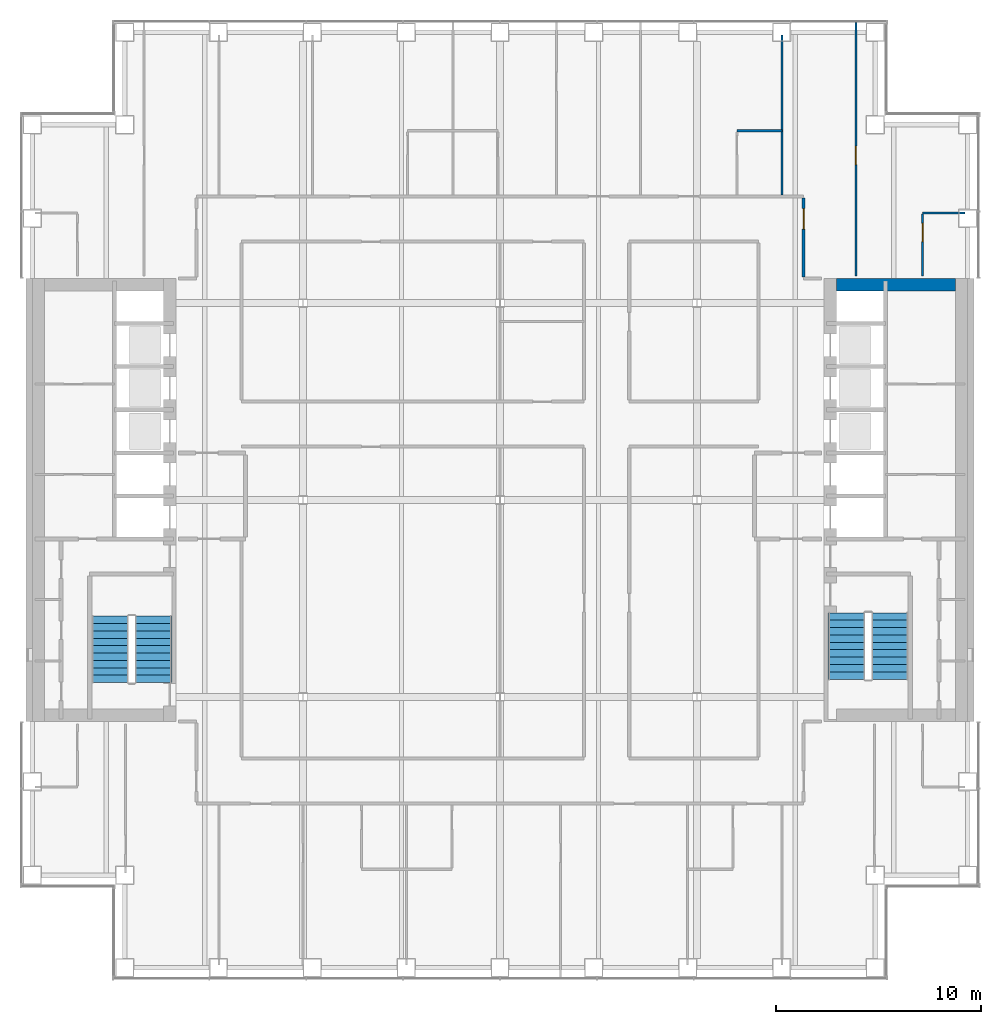
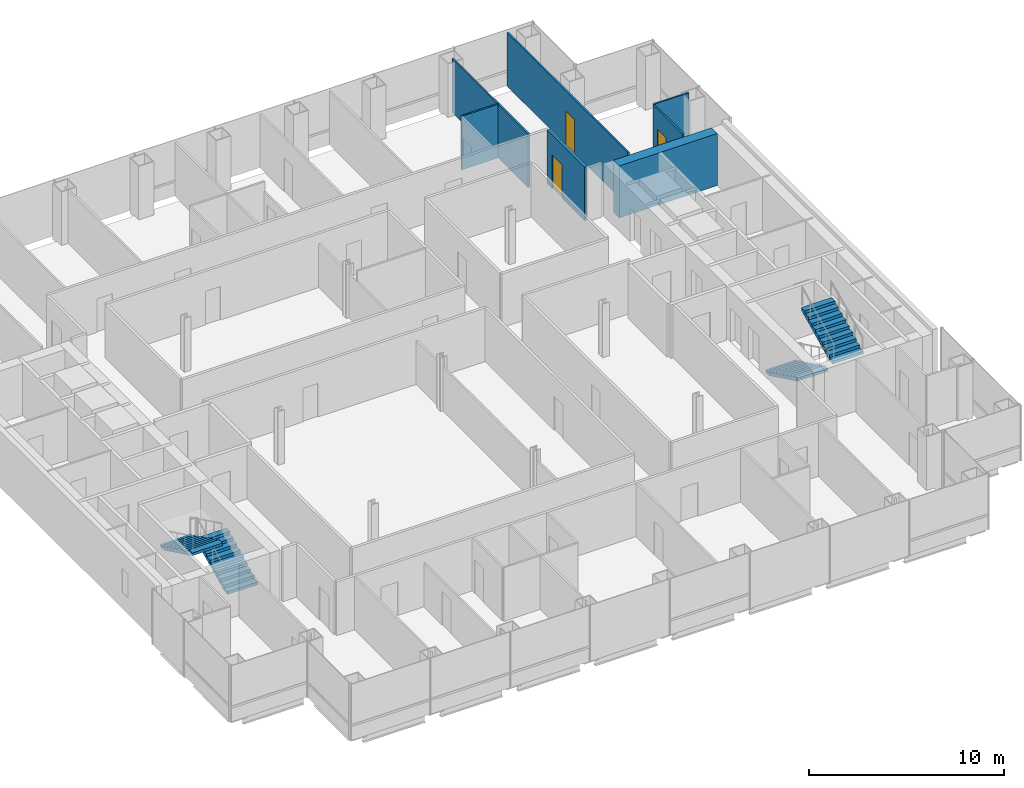
# One storey, part 14 of 16: 7 walls, 4 stair flights, 3 doors, 3 openings, 2 elements without a shape of their own.
"""IFC4 building model written with IfcOpenShell, lengths in metres."""

from ifc_helpers import new_model, si_unit, direction, frame, frame_2d, origin, place, context, subcontext, project, spatial, polyline, rectangle, outline, extrude, material, layer, layer_set, type_object, element, fill, aggregate, save


model = new_model("IFC4")

# Units and contexts
model_context = context("Model", 3, precision=1e-05, world=origin(), true_north=direction((0.0, 1.0)))
body_context = subcontext(model_context, "Body", "Model", "MODEL_VIEW")
ifc_project = project(units=[si_unit("LENGTHUNIT", "METRE"), si_unit("AREAUNIT", "SQUARE_METRE"), si_unit("VOLUMEUNIT", "CUBIC_METRE"), si_unit("PLANEANGLEUNIT", "RADIAN"), si_unit("MASSUNIT", "GRAM", prefix="KILO")], contexts=[model_context])

# Site, building, storey
site_placement = place(None, origin())
site = spatial("IfcSite", under=ifc_project, at=site_placement, CompositionType="ELEMENT")
building_placement = place(site_placement, origin())
building = spatial("IfcBuilding", under=site, at=building_placement, Name="Cobrizo Arcos Hotel Tower", CompositionType="ELEMENT")
storey_placement = place(building_placement, frame((0.0, 0.0, 113.5)))
storey = spatial("IfcBuildingStorey", under=building, at=storey_placement, Name="L28", CompositionType="ELEMENT", Elevation=113.5)

# Wall, opening, door
ifc_material_1 = material(Name="Gypsum board partition")
ifc_layer_1 = layer(ifc_material_1, 0.14990234375)
ifc_layer_set_1 = layer_set([ifc_layer_1], Name="Corridor wall EI 60 150")
wall_type_1 = type_object("IfcWallType", Name="Corridor wall EI 60 150", PredefinedType="PARTITIONING", material=ifc_layer_set_1)
wall_1_placement = place(storey_placement, frame((14.800048828125, 10.875, 0.0), z_axis=(0.0, 0.0, 1.0), x_axis=(0.0, 1.0, 0.0)))
wall_1 = element("IfcWall", 1, at=wall_1_placement, inside=storey, type_object=wall_type_1, Name="Partition 099", PredefinedType="PARTITIONING", context=body_context, shape_type="SweptSolid", body=[
    extrude(rectangle(XDim=3.85009765625, YDim=0.14990234375, at=frame_2d((1.925048828125, 0.0))), origin(), (0.0, 0.0, 1.0), 3.35009765625),
])
opening_1_placement = place(wall_1_placement, frame((2.324951171875, 0.0, 0.0)))
opening_1 = element("IfcOpeningElement", 2, at=opening_1_placement, cuts=wall_1, Name="Opening GD-10", PredefinedType="OPENING", context=body_context, shape_type="SweptSolid", body=[
    extrude(rectangle(XDim=1.0, YDim=2.10009765625, at=frame_2d((0.5, 1.050048828125))), frame((0.0, 0.0869140625, 0.0), z_axis=(0.0, -1.0, 0.0), x_axis=(1.0, 0.0, 0.0)), (0.0, 0.0, 1.0), 0.173828125),
])
ifc_material_2 = material(Name="Timber door leaf", Category="wood")
door_type_1 = type_object("IfcDoorType", Name="Guest room door FD30S 1000x2100", OperationType="SINGLE_SWING_LEFT", PredefinedType="DOOR", material=ifc_material_2)
door_1_placement = place(opening_1_placement, origin())
door_1 = element("IfcDoor", 3, at=door_1_placement, inside=storey, type_object=door_type_1, Name="Door GD-10", OperationType="SINGLE_SWING_RIGHT", OverallHeight=2.10009765625, OverallWidth=1.0, PredefinedType="DOOR", context=body_context, shape_type="SweptSolid", body=[
    extrude(rectangle(XDim=1.0, YDim=2.10009765625, at=frame_2d((0.5, 1.050048828125))), frame((0.0, 0.02490234375, 0.0), z_axis=(0.0, -1.0, 0.0), x_axis=(1.0, 0.0, 0.0)), (0.0, 0.0, 1.0), 0.050048828125),
])
fill(opening_1, door_1)

# Walls
ifc_layer_2 = layer(ifc_material_1, 0.10009765625)
ifc_layer_set_2 = layer_set([ifc_layer_2], Name="Partition EI 30 100")
wall_type_2 = type_object("IfcWallType", Name="Partition EI 30 100", PredefinedType="PARTITIONING", material=ifc_layer_set_2)
wall_2_placement = place(storey_placement, frame((20.60009765625, 14.0, 0.0), z_axis=(0.0, 0.0, 1.0), x_axis=(1.0, 0.0, 0.0)))
element("IfcWall", 4, at=wall_2_placement, inside=storey, type_object=wall_type_2, Name="Partition 046", PredefinedType="PARTITIONING", context=body_context, shape_type="SweptSolid", body=[
    extrude(rectangle(XDim=2.079833984375, YDim=0.10009765625, at=frame_2d((1.0400390625, 0.0))), origin(), (0.0, 0.0, 1.0), 3.35009765625),
])
wall_3_placement = place(storey_placement, frame((11.550048828125, 18.0, 0.0), z_axis=(0.0, 0.0, 1.0), x_axis=(1.0, 0.0, 0.0)))
element("IfcWall", 5, at=wall_3_placement, inside=storey, type_object=wall_type_2, Name="Partition 049", PredefinedType="PARTITIONING", context=body_context, shape_type="SweptSolid", body=[
    extrude(rectangle(XDim=2.199951171875, YDim=0.10009765625, at=frame_2d((1.10009765625, 0.0))), origin(), (0.0, 0.0, 1.0), 3.35009765625),
])
wall_4_placement = place(storey_placement, frame((13.75, 14.875, 0.0), z_axis=(0.0, 0.0, 1.0), x_axis=(0.0, 1.0, 0.0)))
element("IfcWall", 6, at=wall_4_placement, inside=storey, type_object=wall_type_2, Name="Partition 097", PredefinedType="PARTITIONING", context=body_context, shape_type="SweptSolid", body=[
    extrude(rectangle(XDim=7.804931640625, YDim=0.10009765625, at=frame_2d((3.90234375, 0.0))), origin(), (0.0, 0.0, 1.0), 3.35009765625),
])

# Wall, opening, door
wall_5_placement = place(storey_placement, frame((17.35009765625, 10.919921875, 0.0), z_axis=(0.0, 0.0, 1.0), x_axis=(0.0, 1.0, 0.0)))
wall_5 = element("IfcWall", 7, at=wall_5_placement, inside=storey, type_object=wall_type_2, Name="Partition 100", PredefinedType="PARTITIONING", context=body_context, shape_type="SweptSolid", body=[
    extrude(rectangle(XDim=12.360107421875, YDim=0.10009765625, at=frame_2d((6.18017578125, 0.0))), origin(), (0.0, 0.0, 1.0), 3.35009765625),
])
opening_2_placement = place(wall_5_placement, frame((5.429931640625, 0.0, 0.0)))
opening_2 = element("IfcOpeningElement", 8, at=opening_2_placement, cuts=wall_5, Name="Opening RD-18", PredefinedType="OPENING", context=body_context, shape_type="SweptSolid", body=[
    extrude(rectangle(XDim=0.89990234375, YDim=2.10009765625, at=frame_2d((0.449951171875, 1.050048828125))), frame((0.0, 0.06201171875, 0.0), z_axis=(0.0, -1.0, 0.0), x_axis=(1.0, 0.0, 0.0)), (0.0, 0.0, 1.0), 0.1240234375),
])
door_type_2 = type_object("IfcDoorType", Name="Room door FD30 900x2100", OperationType="SINGLE_SWING_LEFT", PredefinedType="DOOR", material=ifc_material_2)
door_2_placement = place(opening_2_placement, origin())
door_2 = element("IfcDoor", 9, at=door_2_placement, inside=storey, type_object=door_type_2, Name="Door RD-18", OperationType="SINGLE_SWING_LEFT", OverallHeight=2.10009765625, OverallWidth=0.89990234375, PredefinedType="DOOR", context=body_context, shape_type="SweptSolid", body=[
    extrude(rectangle(XDim=0.89990234375, YDim=2.10009765625, at=frame_2d((0.449951171875, 1.050048828125))), frame((0.0, 0.02490234375, 0.0), z_axis=(0.0, -1.0, 0.0), x_axis=(1.0, 0.0, 0.0)), (0.0, 0.0, 1.0), 0.050048828125),
])
fill(opening_2, door_2)

wall_6_placement = place(storey_placement, frame((20.60009765625, 10.919921875, 0.0), z_axis=(0.0, 0.0, 1.0), x_axis=(0.0, 1.0, 0.0)))
wall_6 = element("IfcWall", 10, at=wall_6_placement, inside=storey, type_object=wall_type_2, Name="Partition 105", PredefinedType="PARTITIONING", context=body_context, shape_type="SweptSolid", body=[
    extrude(rectangle(XDim=3.030029296875, YDim=0.10009765625, at=frame_2d((1.51513671875, 0.0))), origin(), (0.0, 0.0, 1.0), 3.35009765625),
])
opening_3_placement = place(wall_6_placement, frame((1.669921875, 0.0, 0.0)))
opening_3 = element("IfcOpeningElement", 11, at=opening_3_placement, cuts=wall_6, Name="Opening ED-12", PredefinedType="OPENING", context=body_context, shape_type="SweptSolid", body=[
    extrude(rectangle(XDim=0.89990234375, YDim=2.10009765625, at=frame_2d((0.449951171875, 1.050048828125))), frame((0.0, 0.06201171875, 0.0), z_axis=(0.0, -1.0, 0.0), x_axis=(1.0, 0.0, 0.0)), (0.0, 0.0, 1.0), 0.1240234375),
])
door_type_3 = type_object("IfcDoorType", Name="En-suite door 900x2100", OperationType="SINGLE_SWING_LEFT", PredefinedType="DOOR", material=ifc_material_2)
door_3_placement = place(opening_3_placement, origin())
door_3 = element("IfcDoor", 12, at=door_3_placement, inside=storey, type_object=door_type_3, Name="Door ED-12", OperationType="SINGLE_SWING_LEFT", OverallHeight=2.10009765625, OverallWidth=0.89990234375, PredefinedType="DOOR", context=body_context, shape_type="SweptSolid", body=[
    extrude(rectangle(XDim=0.89990234375, YDim=2.10009765625, at=frame_2d((0.449951171875, 1.050048828125))), frame((0.0, 0.02490234375, 0.0), z_axis=(0.0, -1.0, 0.0), x_axis=(1.0, 0.0, 0.0)), (0.0, 0.0, 1.0), 0.050048828125),
])
fill(opening_3, door_3)

# Wall
ifc_material_3 = material(Name="Concrete f'c 50 MPa", Category="concrete")
ifc_layer_3 = layer(ifc_material_3, 0.60009765625)
ifc_layer_set_3 = layer_set([ifc_layer_3], Name="RC core wall 600 f'c 50")
wall_type_3 = type_object("IfcWallType", Name="RC core wall 600 f'c 50", PredefinedType="SHEAR", material=ifc_layer_set_3)
wall_7_placement = place(storey_placement, frame((16.39990234375, 10.5, 0.0), z_axis=(0.0, 0.0, 1.0), x_axis=(1.0, 0.0, 0.0)))
element("IfcWall", 13, at=wall_7_placement, inside=storey, type_object=wall_type_3, Name="Core wall CW2, east core, north end, L28", PredefinedType="SHEAR", context=body_context, shape_type="SweptSolid", body=[
    extrude(rectangle(XDim=5.800048828125, YDim=0.60009765625, at=frame_2d((2.89990234375, 0.0))), origin(), (0.0, 0.0, 1.0), 3.25),
])

# Stair, stair flights
ifc_material_4 = material(Name="Concrete f'c 40 MPa", Category="concrete")
stair_type = type_object("IfcStairType", Name="Exit stair", PredefinedType="HALF_TURN_STAIR", material=ifc_material_4)
stair_1_placement = place(storey_placement, origin())
stair_1 = element("IfcStair", 14, at=stair_1_placement, inside=storey, type_object=stair_type, Name="L28 Exit stair ST-W", PredefinedType="HALF_TURN_STAIR")
stair_flight_type = type_object("IfcStairFlightType", Name="Exit stair flight", PredefinedType="STRAIGHT", material=ifc_material_4)
stair_flight_1_placement = place(storey_placement, frame((-16.89990234375, -8.89990234375, 0.0), z_axis=(0.0, 0.0, 1.0), x_axis=(0.0, 1.0, 0.0)))
stair_flight_1 = element("IfcStairFlight", 15, at=stair_flight_1_placement, type_object=stair_flight_type, Name="ST-W flight 1", NumberOfRisers=10, NumberOfTreads=9, PredefinedType="STRAIGHT", RiserHeight=0.175, TreadLength=0.36, context=body_context, shape_type="SweptSolid", body=[
    extrude(outline(polyline([(0.0, 0.0), (0.0, 0.175048828125), (0.360107421875, 0.175048828125), (0.360107421875, 0.35009765625), (0.719970703125, 0.35009765625), (0.719970703125, 0.52490234375), (1.080078125, 0.52490234375), (1.080078125, 0.699951171875), (1.43994140625, 0.699951171875), (1.43994140625, 0.875), (1.800048828125, 0.875), (1.800048828125, 1.050048828125), (2.159912109375, 1.050048828125), (2.159912109375, 1.22509765625), (2.52001953125, 1.22509765625), (2.52001953125, 1.39990234375), (2.8798828125, 1.39990234375), (2.8798828125, 1.574951171875), (3.239990234375, 1.574951171875), (3.239990234375, 1.75), (3.239990234375, 1.408203125), (0.3427734375, 0.0), (0.0, 0.0)])), frame((0.0, 0.89990234375, 0.0), z_axis=(0.0, -1.0, 0.0), x_axis=(1.0, 0.0, 0.0)), (0.0, 0.0, 1.0), 1.800048828125),
])
stair_flight_2_placement = place(storey_placement, frame((-19.0, -5.659912109375, 1.75), z_axis=(0.0, 0.0, 1.0), x_axis=(0.0, -1.0, 0.0)))
stair_flight_2 = element("IfcStairFlight", 16, at=stair_flight_2_placement, type_object=stair_flight_type, Name="ST-W flight 2", NumberOfRisers=10, NumberOfTreads=9, PredefinedType="STRAIGHT", RiserHeight=0.175, TreadLength=0.36, context=body_context, shape_type="SweptSolid", body=[
    extrude(outline(polyline([(0.0, 0.0), (0.0, 0.175048828125), (0.360107421875, 0.175048828125), (0.360107421875, 0.35009765625), (0.719970703125, 0.35009765625), (0.719970703125, 0.52490234375), (1.080078125, 0.52490234375), (1.080078125, 0.699951171875), (1.43994140625, 0.699951171875), (1.43994140625, 0.875), (1.800048828125, 0.875), (1.800048828125, 1.050048828125), (2.159912109375, 1.050048828125), (2.159912109375, 1.22509765625), (2.52001953125, 1.22509765625), (2.52001953125, 1.39990234375), (2.8798828125, 1.39990234375), (2.8798828125, 1.574951171875), (3.239990234375, 1.574951171875), (3.239990234375, 1.75), (3.239990234375, 1.408203125), (0.3427734375, 0.0), (0.0, 0.0)])), frame((0.0, 0.89990234375, 0.0), z_axis=(0.0, -1.0, 0.0), x_axis=(1.0, 0.0, 0.0)), (0.0, 0.0, 1.0), 1.800048828125),
])
aggregate(stair_1, [stair_flight_1, stair_flight_2])

stair_2_placement = place(storey_placement, origin())
stair_2 = element("IfcStair", 17, at=stair_2_placement, inside=storey, type_object=stair_type, Name="L28 Exit stair ST-E", PredefinedType="HALF_TURN_STAIR")
stair_flight_3_placement = place(storey_placement, frame((16.89990234375, -5.5, 0.0), z_axis=(0.0, 0.0, 1.0), x_axis=(0.0, -1.0, 0.0)))
stair_flight_3 = element("IfcStairFlight", 18, at=stair_flight_3_placement, type_object=stair_flight_type, Name="ST-E flight 1", NumberOfRisers=10, NumberOfTreads=9, PredefinedType="STRAIGHT", RiserHeight=0.175, TreadLength=0.36, context=body_context, shape_type="SweptSolid", body=[
    extrude(outline(polyline([(0.0, 0.0), (0.0, 0.175048828125), (0.360107421875, 0.175048828125), (0.360107421875, 0.35009765625), (0.719970703125, 0.35009765625), (0.719970703125, 0.52490234375), (1.080078125, 0.52490234375), (1.080078125, 0.699951171875), (1.43994140625, 0.699951171875), (1.43994140625, 0.875), (1.800048828125, 0.875), (1.800048828125, 1.050048828125), (2.159912109375, 1.050048828125), (2.159912109375, 1.22509765625), (2.52001953125, 1.22509765625), (2.52001953125, 1.39990234375), (2.8798828125, 1.39990234375), (2.8798828125, 1.574951171875), (3.239990234375, 1.574951171875), (3.239990234375, 1.75), (3.239990234375, 1.408203125), (0.3427734375, 0.0), (0.0, 0.0)])), frame((0.0, 0.89990234375, 0.0), z_axis=(0.0, -1.0, 0.0), x_axis=(1.0, 0.0, 0.0)), (0.0, 0.0, 1.0), 1.800048828125),
])
stair_flight_4_placement = place(storey_placement, frame((19.0, -8.739990234375, 1.75), z_axis=(0.0, 0.0, 1.0), x_axis=(0.0, 1.0, 0.0)))
stair_flight_4 = element("IfcStairFlight", 19, at=stair_flight_4_placement, type_object=stair_flight_type, Name="ST-E flight 2", NumberOfRisers=10, NumberOfTreads=9, PredefinedType="STRAIGHT", RiserHeight=0.175, TreadLength=0.36, context=body_context, shape_type="SweptSolid", body=[
    extrude(outline(polyline([(0.0, 0.0), (0.0, 0.175048828125), (0.360107421875, 0.175048828125), (0.360107421875, 0.35009765625), (0.719970703125, 0.35009765625), (0.719970703125, 0.52490234375), (1.080078125, 0.52490234375), (1.080078125, 0.699951171875), (1.43994140625, 0.699951171875), (1.43994140625, 0.875), (1.800048828125, 0.875), (1.800048828125, 1.050048828125), (2.159912109375, 1.050048828125), (2.159912109375, 1.22509765625), (2.52001953125, 1.22509765625), (2.52001953125, 1.39990234375), (2.8798828125, 1.39990234375), (2.8798828125, 1.574951171875), (3.239990234375, 1.574951171875), (3.239990234375, 1.75), (3.239990234375, 1.408203125), (0.3427734375, 0.0), (0.0, 0.0)])), frame((0.0, 0.89990234375, 0.0), z_axis=(0.0, -1.0, 0.0), x_axis=(1.0, 0.0, 0.0)), (0.0, 0.0, 1.0), 1.800048828125),
])
aggregate(stair_2, [stair_flight_3, stair_flight_4])

save(model, "model.ifc")
